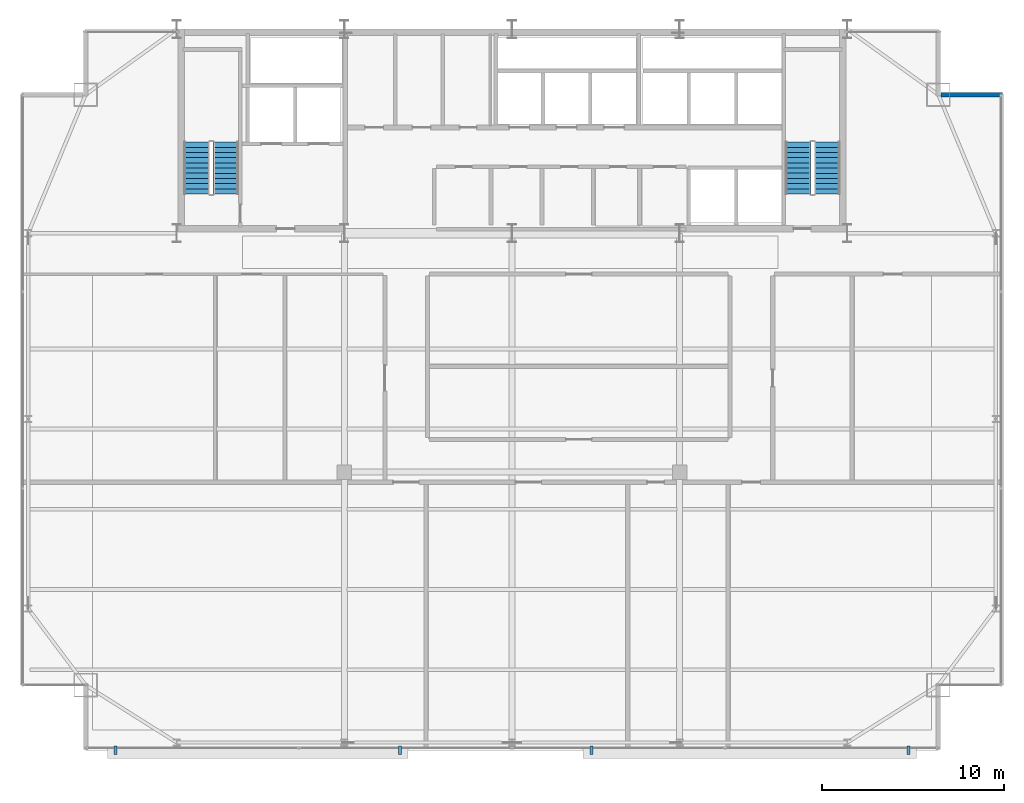
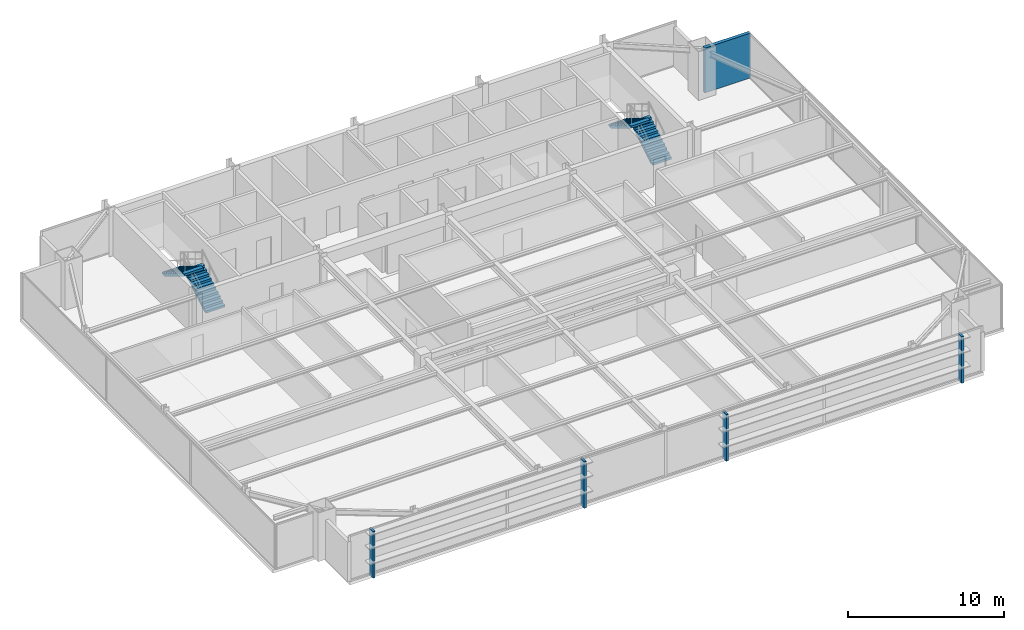
# One storey, part 27 of 29: 4 discrete accessories, 4 stair flights, 1 wall, 2 elements without a shape of their own.
"""IFC4 building model written with IfcOpenShell, lengths in metres."""

from ifc_helpers import new_model, si_unit, direction, frame, frame_2d, origin, origin_2d, place, context, subcontext, project, spatial, polyline, rectangle, outline, extrude, source, transform, mapped, material, layer, layer_set, type_object, type_shapes, element, aggregate, save


model = new_model("IFC4")

# Units and contexts
model_context = context("Model", 3, precision=1e-05, world=origin(), true_north=direction((0.0, 1.0)))
body_context = subcontext(model_context, "Body", "Model", "MODEL_VIEW")
ifc_project = project(units=[si_unit("LENGTHUNIT", "METRE"), si_unit("AREAUNIT", "SQUARE_METRE"), si_unit("VOLUMEUNIT", "CUBIC_METRE"), si_unit("PLANEANGLEUNIT", "RADIAN"), si_unit("MASSUNIT", "GRAM", prefix="KILO")], contexts=[model_context])

# Site, building, storey
site_placement = place(None, origin())
site = spatial("IfcSite", under=ifc_project, at=site_placement, CompositionType="ELEMENT")
building_placement = place(site_placement, origin())
building = spatial("IfcBuilding", under=site, at=building_placement, Name="Varnel Quay Broadcast Tower", CompositionType="ELEMENT")
storey_placement = place(building_placement, frame((0.0, 0.0, 187.60009765625)))
storey = spatial("IfcBuildingStorey", under=building, at=storey_placement, Name="L46", CompositionType="ELEMENT", Elevation=187.60009765625)

# Wall
ifc_material_1 = material(Name="Precast Architectural Concrete C40/50", Category="concrete")
ifc_layer_1 = layer(ifc_material_1, 0.25, Name="Precast Architectural Concrete C40/50")
ifc_layer_set_1 = layer_set([ifc_layer_1], Name="Precast Architectural Concrete C40/50")
wall_type = type_object("IfcWallType", Name="Wall_ExtTerrace250", PredefinedType="SOLIDWALL", material=ifc_layer_set_1)
wall_placement = place(storey_placement, frame((57.530029296875, 43.199951171875, 0.0), z_axis=(0.0, 0.0, 1.0), x_axis=(1.0, 0.0, 0.0)))
element("IfcWall", 1, at=wall_placement, inside=storey, type_object=wall_type, Name="L46 Mega-Column Notch Cladding Wall NNE1", PredefinedType="SOLIDWALL", context=body_context, shape_type="SweptSolid", body=[
    extrude(rectangle(XDim=3.389892578125, YDim=0.25, at=frame_2d((1.69482421875, 0.0))), origin(), (0.0, 0.0, 1.0), 3.5),
])

# Stair, stair flights
ifc_material_2 = material(Name="Precast Structural Concrete C40/50", Category="concrete")
stair_type_1 = type_object("IfcStairType", Name="Stair_ST-01", PredefinedType="HALF_TURN_STAIR", material=ifc_material_2)
stair_1_placement = place(storey_placement, origin())
stair_1 = element("IfcStair", 2, at=stair_1_placement, inside=storey, type_object=stair_type_1, Name="L46 West Core Exit Stair 1", PredefinedType="HALF_TURN_STAIR")
stair_flight_type_1 = type_object("IfcStairFlightType", Name="Flight_ST-01", PredefinedType="STRAIGHT", material=ifc_material_2)
stair_flight_1_placement = place(storey_placement, frame((18.300048828125, 37.75, 0.0), z_axis=(0.0, 0.0, 1.0), x_axis=(0.0, 1.0, 0.0)))
stair_flight_1 = element("IfcStairFlight", 3, at=stair_flight_1_placement, type_object=stair_flight_type_1, Name="ST-01 flight 1", NumberOfRisers=11, NumberOfTreads=10, PredefinedType="STRAIGHT", RiserHeight=0.172727273, TreadLength=0.285, context=body_context, shape_type="SweptSolid", body=[
    extrude(outline(polyline([(0.0, 0.0), (0.0, 0.172607421875), (0.284912109375, 0.172607421875), (0.284912109375, 0.345458984375), (0.570068359375, 0.345458984375), (0.570068359375, 0.51806640625), (0.85498046875, 0.51806640625), (0.85498046875, 0.69091796875), (1.139892578125, 0.69091796875), (1.139892578125, 0.863525390625), (1.425048828125, 0.863525390625), (1.425048828125, 1.036376953125), (1.7099609375, 1.036376953125), (1.7099609375, 1.208984375), (1.9951171875, 1.208984375), (1.9951171875, 1.3818359375), (2.280029296875, 1.3818359375), (2.280029296875, 1.554443359375), (2.56494140625, 1.554443359375), (2.56494140625, 1.727294921875), (2.85009765625, 1.727294921875), (2.85009765625, 1.89990234375), (2.85009765625, 1.552001953125), (0.289306640625, 0.0), (0.0, 0.0)])), frame((0.0, 0.699951171875, 0.0), z_axis=(0.0, -1.0, 0.0), x_axis=(1.0, 0.0, 0.0)), (0.0, 0.0, 1.0), 1.39990234375),
])
stair_flight_2_placement = place(storey_placement, frame((16.699951171875, 40.60009765625, 1.89990234375), z_axis=(0.0, 0.0, 1.0), x_axis=(0.0, -1.0, 0.0)))
stair_flight_2 = element("IfcStairFlight", 4, at=stair_flight_2_placement, type_object=stair_flight_type_1, Name="ST-01 flight 2", NumberOfRisers=11, NumberOfTreads=10, PredefinedType="STRAIGHT", RiserHeight=0.172727273, TreadLength=0.285, context=body_context, shape_type="SweptSolid", body=[
    extrude(outline(polyline([(0.0, 0.0), (0.0, 0.172607421875), (0.284912109375, 0.172607421875), (0.284912109375, 0.345458984375), (0.570068359375, 0.345458984375), (0.570068359375, 0.51806640625), (0.85498046875, 0.51806640625), (0.85498046875, 0.69091796875), (1.139892578125, 0.69091796875), (1.139892578125, 0.863525390625), (1.425048828125, 0.863525390625), (1.425048828125, 1.036376953125), (1.7099609375, 1.036376953125), (1.7099609375, 1.208984375), (1.9951171875, 1.208984375), (1.9951171875, 1.3818359375), (2.280029296875, 1.3818359375), (2.280029296875, 1.554443359375), (2.56494140625, 1.554443359375), (2.56494140625, 1.727294921875), (2.85009765625, 1.727294921875), (2.85009765625, 1.89990234375), (2.85009765625, 1.552001953125), (0.289306640625, 0.0), (0.0, 0.0)])), frame((0.0, 0.699951171875, 0.0), z_axis=(0.0, -1.0, 0.0), x_axis=(1.0, 0.0, 0.0)), (0.0, 0.0, 1.0), 1.39990234375),
])
aggregate(stair_1, [stair_flight_1, stair_flight_2])

stair_type_2 = type_object("IfcStairType", Name="Stair_ST-02", PredefinedType="HALF_TURN_STAIR", material=ifc_material_2)
stair_2_placement = place(storey_placement, origin())
stair_2 = element("IfcStair", 5, at=stair_2_placement, inside=storey, type_object=stair_type_2, Name="L46 East Core Exit Stair 2", PredefinedType="HALF_TURN_STAIR")
stair_flight_type_2 = type_object("IfcStairFlightType", Name="Flight_ST-02", PredefinedType="STRAIGHT", material=ifc_material_2)
stair_flight_3_placement = place(storey_placement, frame((51.300048828125, 37.75, 0.0), z_axis=(0.0, 0.0, 1.0), x_axis=(0.0, 1.0, 0.0)))
stair_flight_3 = element("IfcStairFlight", 6, at=stair_flight_3_placement, type_object=stair_flight_type_2, Name="ST-02 flight 1", NumberOfRisers=11, NumberOfTreads=10, PredefinedType="STRAIGHT", RiserHeight=0.172727273, TreadLength=0.285, context=body_context, shape_type="SweptSolid", body=[
    extrude(outline(polyline([(0.0, 0.0), (0.0, 0.172607421875), (0.284912109375, 0.172607421875), (0.284912109375, 0.345458984375), (0.570068359375, 0.345458984375), (0.570068359375, 0.51806640625), (0.85498046875, 0.51806640625), (0.85498046875, 0.69091796875), (1.139892578125, 0.69091796875), (1.139892578125, 0.863525390625), (1.425048828125, 0.863525390625), (1.425048828125, 1.036376953125), (1.7099609375, 1.036376953125), (1.7099609375, 1.208984375), (1.9951171875, 1.208984375), (1.9951171875, 1.3818359375), (2.280029296875, 1.3818359375), (2.280029296875, 1.554443359375), (2.56494140625, 1.554443359375), (2.56494140625, 1.727294921875), (2.85009765625, 1.727294921875), (2.85009765625, 1.89990234375), (2.85009765625, 1.552001953125), (0.289306640625, 0.0), (0.0, 0.0)])), frame((0.0, 0.699951171875, 0.0), z_axis=(0.0, -1.0, 0.0), x_axis=(1.0, 0.0, 0.0)), (0.0, 0.0, 1.0), 1.39990234375),
])
stair_flight_4_placement = place(storey_placement, frame((49.699951171875, 40.60009765625, 1.89990234375), z_axis=(0.0, 0.0, 1.0), x_axis=(0.0, -1.0, 0.0)))
stair_flight_4 = element("IfcStairFlight", 7, at=stair_flight_4_placement, type_object=stair_flight_type_2, Name="ST-02 flight 2", NumberOfRisers=11, NumberOfTreads=10, PredefinedType="STRAIGHT", RiserHeight=0.172727273, TreadLength=0.285, context=body_context, shape_type="SweptSolid", body=[
    extrude(outline(polyline([(0.0, 0.0), (0.0, 0.172607421875), (0.284912109375, 0.172607421875), (0.284912109375, 0.345458984375), (0.570068359375, 0.345458984375), (0.570068359375, 0.51806640625), (0.85498046875, 0.51806640625), (0.85498046875, 0.69091796875), (1.139892578125, 0.69091796875), (1.139892578125, 0.863525390625), (1.425048828125, 0.863525390625), (1.425048828125, 1.036376953125), (1.7099609375, 1.036376953125), (1.7099609375, 1.208984375), (1.9951171875, 1.208984375), (1.9951171875, 1.3818359375), (2.280029296875, 1.3818359375), (2.280029296875, 1.554443359375), (2.56494140625, 1.554443359375), (2.56494140625, 1.727294921875), (2.85009765625, 1.727294921875), (2.85009765625, 1.89990234375), (2.85009765625, 1.552001953125), (0.289306640625, 0.0), (0.0, 0.0)])), frame((0.0, 0.699951171875, 0.0), z_axis=(0.0, -1.0, 0.0), x_axis=(1.0, 0.0, 0.0)), (0.0, 0.0, 1.0), 1.39990234375),
])
aggregate(stair_2, [stair_flight_3, stair_flight_4])

# Discrete accessories
ifc_material_3 = material(Name="Anodised Bronze Aluminium 6063-T6", Category="aluminium")
ifc_layer_2 = layer(ifc_material_3, 0.47998046875, Name="Anodised Bronze Aluminium 6063-T6")
ifc_layer_set_2 = layer_set([ifc_layer_2], Name="Anodised Bronze Aluminium 6063-T6")
discrete_accessory_type = type_object("IfcDiscreteAccessoryType", Name="Acc_FacadeBracket", PredefinedType="BRACKET", material=ifc_layer_set_2)
shared_shape = source(origin(), body_context, "Body", "SweptSolid", [
    extrude(rectangle(XDim=0.159912109375, YDim=0.47998046875, at=origin_2d()), origin(), (0.0, 0.0, 1.0), 3.64990234375),
])
type_shapes(discrete_accessory_type, [shared_shape])
for number, where, z_axis, x_axis, name in (
    (8, (12.25, 7.219970703125, -0.150146484375), (0.0, 0.0, 1.0), (1.0, 0.0, 0.0), "L46 Lobe 1 Louvre Support Bracket 1"),
    (9, (27.85498046875, 7.219970703125, -0.150146484375), (0.0, 0.0, 1.0), (1.0, 0.0, 0.0), "L46 Lobe 1 Louvre Support Bracket 2"),
    (10, (38.35498046875, 7.219970703125, -0.150146484375), (0.0, 0.0, 1.0), (1.0, 0.0, 0.0), "L46 Lobe 2 Louvre Support Bracket 1"),
    (11, (55.75, 7.219970703125, -0.150146484375), (0.0, 0.0, 1.0), (1.0, 0.0, 0.0), "L46 Lobe 2 Louvre Support Bracket 2"),
):
    element("IfcDiscreteAccessory", number, at=place(storey_placement, frame(where, z_axis=z_axis, x_axis=x_axis)), inside=storey, type_object=discrete_accessory_type, Name=name, PredefinedType="BRACKET", context=body_context, shape_type="MappedRepresentation", body=[
        mapped(shared_shape, transform((0.0, 0.0, 0.0), x_axis=(1.0, 0.0, 0.0), y_axis=(0.0, 1.0, 0.0), z_axis=(0.0, 0.0, 1.0), scale=1.0)),
    ])

save(model, "model.ifc")
